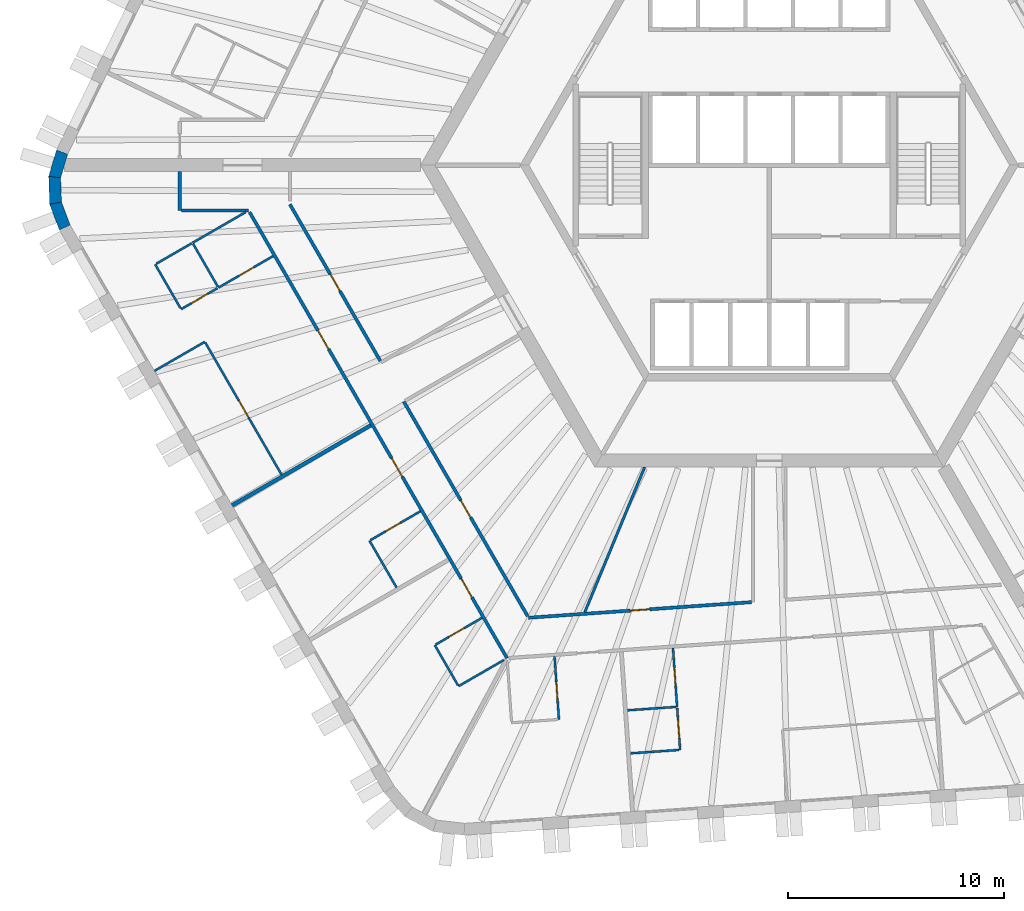
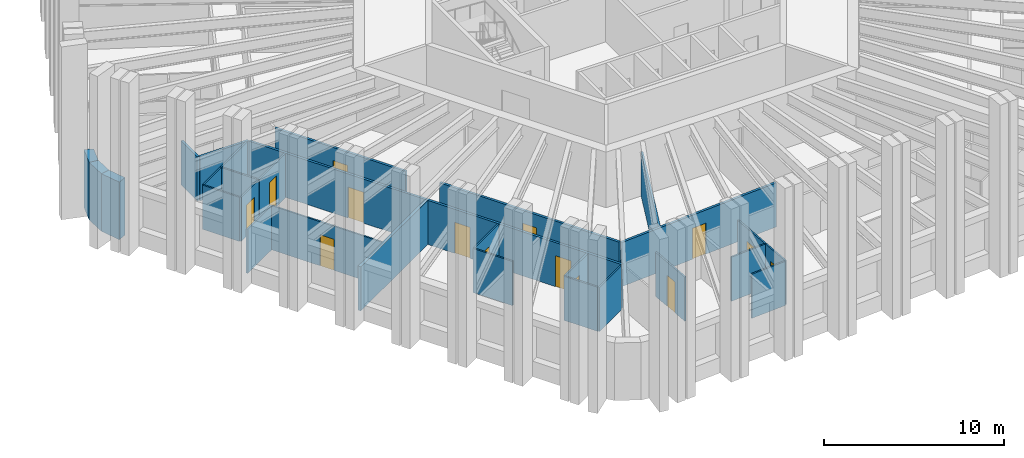
# One storey, part 3 of 13: 29 walls, 14 doors, 14 openings.
"""IFC4 building model written with IfcOpenShell, lengths in metres."""

from ifc_helpers import new_model, si_unit, direction, frame, frame_2d, origin, place, context, subcontext, project, spatial, polyline, rectangle, outline, extrude, material, layer, layer_set, type_object, element, fill, save


model = new_model("IFC4")

# Units and contexts
model_context = context("Model", 3, precision=1e-05, world=origin(), true_north=direction((0.0, 1.0)))
body_context = subcontext(model_context, "Body", "Model", "MODEL_VIEW")
ifc_project = project(units=[si_unit("LENGTHUNIT", "METRE"), si_unit("AREAUNIT", "SQUARE_METRE"), si_unit("VOLUMEUNIT", "CUBIC_METRE"), si_unit("PLANEANGLEUNIT", "RADIAN"), si_unit("MASSUNIT", "GRAM", prefix="KILO")], contexts=[model_context])

# Site, building, storey
site_placement = place(None, origin())
site = spatial("IfcSite", under=ifc_project, at=site_placement, CompositionType="ELEMENT")
building_placement = place(site_placement, origin())
building = spatial("IfcBuilding", under=site, at=building_placement, Name="Tarnside Tower", CompositionType="ELEMENT")
storey_placement = place(building_placement, frame((0.0, 0.0, 123.300048828125)))
storey = spatial("IfcBuildingStorey", under=building, at=storey_placement, Name="L28", CompositionType="ELEMENT", Elevation=123.300048828125)

# Wall
ifc_material_1 = material(Name="Gypsum board partition on steel studs", Category="steel")
ifc_layer_1 = layer(ifc_material_1, 0.10009765625)
ifc_layer_set_1 = layer_set([ifc_layer_1], Name="Bathroom wall 100")
wall_type_1 = type_object("IfcWallType", Name="Bathroom wall 100", PredefinedType="PARTITIONING", material=ifc_layer_set_1)
wall_1_placement = place(storey_placement, frame((-26.731201171875, -3.60009765625, 0.0), z_axis=(0.0, 0.0, 1.0), x_axis=(0.866004402611, 0.500036373335, 0.0)))
element("IfcWall", 1, at=wall_1_placement, inside=storey, type_object=wall_type_1, Name="Bathroom wall 09108", PredefinedType="PARTITIONING", context=body_context, shape_type="SweptSolid", body=[
    extrude(rectangle(XDim=2.849853515625, YDim=0.10009765625, at=frame_2d((1.4248046875, 0.0))), origin(), (0.0, 0.0, 1.0), 2.98779296875),
])

# Wall, opening, door
wall_2_placement = place(storey_placement, frame((-22.998291015625, -4.216064453125, 0.0), z_axis=(0.0, 0.0, 1.0), x_axis=(-0.866025730634, -0.499999433879, 0.0)))
wall_2 = element("IfcWall", 2, at=wall_2_placement, inside=storey, type_object=wall_type_1, Name="Bathroom wall 09109", PredefinedType="PARTITIONING", context=body_context, shape_type="SweptSolid", body=[
    extrude(rectangle(XDim=2.9248046875, YDim=0.10009765625, at=frame_2d((1.46240234375, 0.0))), origin(), (0.0, 0.0, 1.0), 2.98779296875),
])
opening_1_placement = place(wall_2_placement, frame((1.02490234375, 0.0, 0.0)))
opening_1 = element("IfcOpeningElement", 3, at=opening_1_placement, cuts=wall_2, Name="Opening D-B1", PredefinedType="OPENING", context=body_context, shape_type="SweptSolid", body=[
    extrude(rectangle(XDim=0.800048828125, YDim=2.10009765625, at=frame_2d((0.39990234375, 1.050048828125))), frame((0.0, 0.06005859375, 0.0), z_axis=(0.0, -1.0, 0.0), x_axis=(1.0, 0.0, 0.0)), (0.0, 0.0, 1.0), 0.1201171875),
])
ifc_material_2 = material(Name="Timber door leaf", Category="wood")
door_type_1 = type_object("IfcDoorType", Name="Bathroom door 800", OperationType="NOTDEFINED", PredefinedType="DOOR", material=ifc_material_2)
door_1_placement = place(opening_1_placement, origin())
door_1 = element("IfcDoor", 4, at=door_1_placement, inside=storey, type_object=door_type_1, Name="Bathroom door 09016", OperationType="SINGLE_SWING_RIGHT", OverallHeight=2.10009765625, OverallWidth=0.800048828125, PredefinedType="DOOR", context=body_context, shape_type="SweptSolid", body=[
    extrude(rectangle(XDim=0.800048828125, YDim=2.10009765625, at=frame_2d((0.39990234375, 1.050048828125))), frame((0.0, 0.02490234375, 0.0), z_axis=(0.0, -1.0, 0.0), x_axis=(1.0, 0.0, 0.0)), (0.0, 0.0, 1.0), 0.050048828125),
])
fill(opening_1, door_1)

# Walls
wall_3_placement = place(storey_placement, frame((-26.706298828125, -3.643310546875, 0.0), z_axis=(0.0, 0.0, 1.0), x_axis=(0.499952165731, -0.866053019151, 0.0)))
element("IfcWall", 5, at=wall_3_placement, inside=storey, type_object=wall_type_1, Name="Bathroom wall 09116", PredefinedType="PARTITIONING", context=body_context, shape_type="SweptSolid", body=[
    extrude(rectangle(XDim=2.300048828125, YDim=0.10009765625, at=frame_2d((1.14990234375, 0.0))), origin(), (0.0, 0.0, 1.0), 2.98779296875),
])
wall_4_placement = place(storey_placement, frame((-17.273681640625, -19.581298828125, 0.0), z_axis=(0.0, 0.0, 1.0), x_axis=(-0.499946979623, 0.86605601295, 0.0)))
element("IfcWall", 6, at=wall_4_placement, inside=storey, type_object=wall_type_1, Name="Bathroom wall 09118", PredefinedType="PARTITIONING", context=body_context, shape_type="SweptSolid", body=[
    extrude(rectangle(XDim=2.510009765625, YDim=0.10009765625, at=frame_2d((1.2548828125, 0.0))), origin(), (0.0, 0.0, 1.0), 2.98779296875),
])

# Wall, opening, door
wall_5_placement = place(storey_placement, frame((-18.4853515625, -17.382568359375, 0.0), z_axis=(0.0, 0.0, 1.0), x_axis=(0.866004723184, 0.50003581814, 0.0)))
wall_5 = element("IfcWall", 7, at=wall_5_placement, inside=storey, type_object=wall_type_1, Name="Bathroom wall 09119", PredefinedType="PARTITIONING", context=body_context, shape_type="SweptSolid", body=[
    extrude(rectangle(XDim=2.675048828125, YDim=0.10009765625, at=frame_2d((1.33740234375, 0.0))), origin(), (0.0, 0.0, 1.0), 2.98779296875),
])
opening_2_placement = place(wall_5_placement, frame((0.81005859375, 0.0, 0.0)))
opening_2 = element("IfcOpeningElement", 8, at=opening_2_placement, cuts=wall_5, Name="Opening D-B1", PredefinedType="OPENING", context=body_context, shape_type="SweptSolid", body=[
    extrude(rectangle(XDim=0.800048828125, YDim=2.10009765625, at=frame_2d((0.39990234375, 1.050048828125))), frame((0.0, 0.06005859375, 0.0), z_axis=(0.0, -1.0, 0.0), x_axis=(1.0, 0.0, 0.0)), (0.0, 0.0, 1.0), 0.1201171875),
])
door_2_placement = place(opening_2_placement, origin())
door_2 = element("IfcDoor", 9, at=door_2_placement, inside=storey, type_object=door_type_1, Name="Bathroom door 09020", OperationType="SINGLE_SWING_RIGHT", OverallHeight=2.10009765625, OverallWidth=0.800048828125, PredefinedType="DOOR", context=body_context, shape_type="SweptSolid", body=[
    extrude(rectangle(XDim=0.800048828125, YDim=2.10009765625, at=frame_2d((0.39990234375, 1.050048828125))), frame((0.0, 0.02490234375, 0.0), z_axis=(0.0, -1.0, 0.0), x_axis=(1.0, 0.0, 0.0)), (0.0, 0.0, 1.0), 0.050048828125),
])
fill(opening_2, door_2)

# Walls
wall_6_placement = place(storey_placement, frame((-12.299560546875, -22.93896484375, 0.0), z_axis=(0.0, 0.0, 1.0), x_axis=(-0.866044985707, -0.499966081581, 0.0)))
element("IfcWall", 10, at=wall_6_placement, inside=storey, type_object=wall_type_1, Name="Bathroom wall 09122", PredefinedType="PARTITIONING", context=body_context, shape_type="SweptSolid", body=[
    extrude(rectangle(XDim=2.428955078125, YDim=0.10009765625, at=frame_2d((1.21435546875, 0.0))), origin(), (0.0, 0.0, 1.0), 2.98779296875),
])
wall_7_placement = place(storey_placement, frame((-14.427978515625, -24.110107421875, 0.0), z_axis=(0.0, 0.0, 1.0), x_axis=(-0.499961633463, 0.866047553582, 0.0)))
element("IfcWall", 11, at=wall_7_placement, inside=storey, type_object=wall_type_1, Name="Bathroom wall 09123", PredefinedType="PARTITIONING", context=body_context, shape_type="SweptSolid", body=[
    extrude(rectangle(XDim=2.150146484375, YDim=0.10009765625, at=frame_2d((1.0751953125, 0.0))), origin(), (0.0, 0.0, 1.0), 2.98779296875),
])

# Wall, opening, door
wall_8_placement = place(storey_placement, frame((-15.459716796875, -22.22314453125, 0.0), z_axis=(0.0, 0.0, 1.0), x_axis=(0.866031185235, 0.4999899861, 0.0)))
wall_8 = element("IfcWall", 12, at=wall_8_placement, inside=storey, type_object=wall_type_1, Name="Bathroom wall 09124", PredefinedType="PARTITIONING", context=body_context, shape_type="SweptSolid", body=[
    extrude(rectangle(XDim=2.47509765625, YDim=0.10009765625, at=frame_2d((1.237548828125, 0.0))), origin(), (0.0, 0.0, 1.0), 2.98779296875),
])
opening_3_placement = place(wall_8_placement, frame((0.719970703125, 0.0, 0.0)))
opening_3 = element("IfcOpeningElement", 13, at=opening_3_placement, cuts=wall_8, Name="Opening D-B1", PredefinedType="OPENING", context=body_context, shape_type="SweptSolid", body=[
    extrude(rectangle(XDim=0.800048828125, YDim=2.10009765625, at=frame_2d((0.39990234375, 1.050048828125))), frame((0.0, 0.06005859375, 0.0), z_axis=(0.0, -1.0, 0.0), x_axis=(1.0, 0.0, 0.0)), (0.0, 0.0, 1.0), 0.1201171875),
])
door_3_placement = place(opening_3_placement, origin())
door_3 = element("IfcDoor", 14, at=door_3_placement, inside=storey, type_object=door_type_1, Name="Bathroom door 09022", OperationType="SINGLE_SWING_RIGHT", OverallHeight=2.10009765625, OverallWidth=0.800048828125, PredefinedType="DOOR", context=body_context, shape_type="SweptSolid", body=[
    extrude(rectangle(XDim=0.800048828125, YDim=2.10009765625, at=frame_2d((0.39990234375, 1.050048828125))), frame((0.0, 0.02490234375, 0.0), z_axis=(0.0, -1.0, 0.0), x_axis=(1.0, 0.0, 0.0)), (0.0, 0.0, 1.0), 0.050048828125),
])
fill(opening_3, door_3)

wall_9_placement = place(storey_placement, frame((-9.951416015625, -22.774658203125, 0.0), z_axis=(0.0, 0.0, 1.0), x_axis=(0.069775971057, -0.997562686683, 0.0)))
wall_9 = element("IfcWall", 15, at=wall_9_placement, inside=storey, type_object=wall_type_1, Name="Bathroom wall 09126", PredefinedType="PARTITIONING", context=body_context, shape_type="SweptSolid", body=[
    extrude(rectangle(XDim=2.925048828125, YDim=0.10009765625, at=frame_2d((1.46240234375, 0.0))), origin(), (0.0, 0.0, 1.0), 2.98779296875),
])
opening_4_placement = place(wall_9_placement, frame((1.175048828125, 0.0, 0.0)))
opening_4 = element("IfcOpeningElement", 16, at=opening_4_placement, cuts=wall_9, Name="Opening D-B1", PredefinedType="OPENING", context=body_context, shape_type="SweptSolid", body=[
    extrude(rectangle(XDim=0.800048828125, YDim=2.10009765625, at=frame_2d((0.39990234375, 1.050048828125))), frame((0.0, 0.06005859375, 0.0), z_axis=(0.0, -1.0, 0.0), x_axis=(1.0, 0.0, 0.0)), (0.0, 0.0, 1.0), 0.1201171875),
])
door_4_placement = place(opening_4_placement, origin())
door_4 = element("IfcDoor", 17, at=door_4_placement, inside=storey, type_object=door_type_1, Name="Bathroom door 09024", OperationType="SINGLE_SWING_LEFT", OverallHeight=2.10009765625, OverallWidth=0.800048828125, PredefinedType="DOOR", context=body_context, shape_type="SweptSolid", body=[
    extrude(rectangle(XDim=0.800048828125, YDim=2.10009765625, at=frame_2d((0.39990234375, 1.050048828125))), frame((0.0, 0.02490234375, 0.0), z_axis=(0.0, -1.0, 0.0), x_axis=(1.0, 0.0, 0.0)), (0.0, 0.0, 1.0), 0.050048828125),
])
fill(opening_4, door_4)

wall_10_placement = place(storey_placement, frame((-4.4599609375, -22.390625, 0.0), z_axis=(0.0, 0.0, 1.0), x_axis=(0.069699857203, -0.99756800766, 0.0)))
wall_10 = element("IfcWall", 18, at=wall_10_placement, inside=storey, type_object=wall_type_1, Name="Bathroom wall 09132", PredefinedType="PARTITIONING", context=body_context, shape_type="SweptSolid", body=[
    extrude(rectangle(XDim=2.72509765625, YDim=0.10009765625, at=frame_2d((1.362548828125, 0.0))), origin(), (0.0, 0.0, 1.0), 2.98779296875),
])
opening_5_placement = place(wall_10_placement, frame((0.925048828125, 0.0, 0.0)))
opening_5 = element("IfcOpeningElement", 19, at=opening_5_placement, cuts=wall_10, Name="Opening D-B1", PredefinedType="OPENING", context=body_context, shape_type="SweptSolid", body=[
    extrude(rectangle(XDim=0.800048828125, YDim=2.10009765625, at=frame_2d((0.39990234375, 1.050048828125))), frame((0.0, 0.06005859375, 0.0), z_axis=(0.0, -1.0, 0.0), x_axis=(1.0, 0.0, 0.0)), (0.0, 0.0, 1.0), 0.1201171875),
])
door_5_placement = place(opening_5_placement, origin())
door_5 = element("IfcDoor", 20, at=door_5_placement, inside=storey, type_object=door_type_1, Name="Bathroom door 09026", OperationType="SINGLE_SWING_RIGHT", OverallHeight=2.10009765625, OverallWidth=0.800048828125, PredefinedType="DOOR", context=body_context, shape_type="SweptSolid", body=[
    extrude(rectangle(XDim=0.800048828125, YDim=2.10009765625, at=frame_2d((0.39990234375, 1.050048828125))), frame((0.0, 0.02490234375, 0.0), z_axis=(0.0, -1.0, 0.0), x_axis=(1.0, 0.0, 0.0)), (0.0, 0.0, 1.0), 0.050048828125),
])
fill(opening_5, door_5)

# Walls
wall_11_placement = place(storey_placement, frame((-6.574462890625, -25.270263671875, 0.0), z_axis=(0.0, 0.0, 1.0), x_axis=(0.997562351999, 0.069780755754, 0.0)))
element("IfcWall", 21, at=wall_11_placement, inside=storey, type_object=wall_type_1, Name="Bathroom wall 09138", PredefinedType="PARTITIONING", context=body_context, shape_type="SweptSolid", body=[
    extrude(rectangle(XDim=2.26025390625, YDim=0.10009765625, at=frame_2d((1.130126953125, 0.0))), origin(), (0.0, 0.0, 1.0), 2.98779296875),
])
ifc_layer_2 = layer(ifc_material_1, 0.14990234375)
ifc_layer_set_2 = layer_set([ifc_layer_2], Name="Corridor wall 150 EI 60")
wall_type_2 = type_object("IfcWallType", Name="Corridor wall 150 EI 60", PredefinedType="PARTITIONING", material=ifc_layer_set_2)
wall_12_placement = place(storey_placement, frame((-27.3203125, -0.300048828125, 0.0), z_axis=(0.0, 0.0, 1.0), x_axis=(0.0, -1.0, 0.0)))
element("IfcWall", 22, at=wall_12_placement, inside=storey, type_object=wall_type_2, Name="Corridor wall 09027", PredefinedType="PARTITIONING", context=body_context, shape_type="SweptSolid", body=[
    extrude(rectangle(XDim=1.800048828125, YDim=0.14990234375, at=frame_2d((0.89990234375, 0.0))), origin(), (0.0, 0.0, 1.0), 2.98779296875),
])
wall_13_placement = place(storey_placement, frame((-27.245361328125, -2.10009765625, 0.0), z_axis=(0.0, 0.0, 1.0), x_axis=(1.0, 0.0, 0.0)))
element("IfcWall", 23, at=wall_13_placement, inside=storey, type_object=wall_type_2, Name="Corridor wall 09028", PredefinedType="PARTITIONING", context=body_context, shape_type="SweptSolid", body=[
    extrude(rectangle(XDim=3.112060546875, YDim=0.14990234375, at=frame_2d((1.55615234375, 0.0))), origin(), (0.0, 0.0, 1.0), 2.98779296875),
])

# Wall, openings, doors
wall_14_placement = place(storey_placement, frame((-24.08984375, -2.175048828125, 0.0), z_axis=(0.0, 0.0, 1.0), x_axis=(0.499996832073, -0.86602723278, 0.0)))
wall_14 = element("IfcWall", 24, at=wall_14_placement, inside=storey, type_object=wall_type_2, Name="Corridor wall 09029", PredefinedType="PARTITIONING", context=body_context, shape_type="SweptSolid", body=[
    extrude(rectangle(XDim=23.877197265625, YDim=0.14990234375, at=frame_2d((11.9384765625, 0.0))), origin(), (0.0, 0.0, 1.0), 2.98779296875),
])
opening_6_placement = place(wall_14_placement, frame((6.343017578125, 0.0, 0.0)))
opening_6 = element("IfcOpeningElement", 25, at=opening_6_placement, cuts=wall_14, Name="Opening D-E1", PredefinedType="OPENING", context=body_context, shape_type="SweptSolid", body=[
    extrude(rectangle(XDim=1.0, YDim=2.10009765625, at=frame_2d((0.5, 1.050048828125))), frame((0.0, 0.0849609375, 0.0), z_axis=(0.0, -1.0, 0.0), x_axis=(1.0, 0.0, 0.0)), (0.0, 0.0, 1.0), 0.169921875),
])
opening_7_placement = place(wall_14_placement, frame((13.17236328125, 0.0, 0.0)))
opening_7 = element("IfcOpeningElement", 26, at=opening_7_placement, cuts=wall_14, Name="Opening D-E1", PredefinedType="OPENING", context=body_context, shape_type="SweptSolid", body=[
    extrude(rectangle(XDim=1.0, YDim=2.10009765625, at=frame_2d((0.5, 1.050048828125))), frame((0.0, 0.0849609375, 0.0), z_axis=(0.0, -1.0, 0.0), x_axis=(1.0, 0.0, 0.0)), (0.0, 0.0, 1.0), 0.169921875),
])
opening_8_placement = place(wall_14_placement, frame((19.624755859375, 0.0, 0.0)))
opening_8 = element("IfcOpeningElement", 27, at=opening_8_placement, cuts=wall_14, Name="Opening D-E1", PredefinedType="OPENING", context=body_context, shape_type="SweptSolid", body=[
    extrude(rectangle(XDim=1.0, YDim=2.10009765625, at=frame_2d((0.5, 1.050048828125))), frame((0.0, 0.0849609375, 0.0), z_axis=(0.0, -1.0, 0.0), x_axis=(1.0, 0.0, 0.0)), (0.0, 0.0, 1.0), 0.169921875),
])
door_type_2 = type_object("IfcDoorType", Name="Unit entrance door 1000 FD30S", OperationType="NOTDEFINED", PredefinedType="DOOR", material=ifc_material_2)
door_6_placement = place(opening_6_placement, origin())
door_6 = element("IfcDoor", 28, at=door_6_placement, inside=storey, type_object=door_type_2, Name="Unit door 09015", OperationType="SINGLE_SWING_LEFT", OverallHeight=2.10009765625, OverallWidth=1.0, PredefinedType="DOOR", context=body_context, shape_type="SweptSolid", body=[
    extrude(rectangle(XDim=1.0, YDim=2.10009765625, at=frame_2d((0.5, 1.050048828125))), frame((0.0, 0.02490234375, 0.0), z_axis=(0.0, -1.0, 0.0), x_axis=(1.0, 0.0, 0.0)), (0.0, 0.0, 1.0), 0.050048828125),
])
fill(opening_6, door_6)
door_7_placement = place(opening_7_placement, origin())
door_7 = element("IfcDoor", 29, at=door_7_placement, inside=storey, type_object=door_type_2, Name="Unit door 09019", OperationType="SINGLE_SWING_LEFT", OverallHeight=2.10009765625, OverallWidth=1.0, PredefinedType="DOOR", context=body_context, shape_type="SweptSolid", body=[
    extrude(rectangle(XDim=1.0, YDim=2.10009765625, at=frame_2d((0.5, 1.050048828125))), frame((0.0, 0.02490234375, 0.0), z_axis=(0.0, -1.0, 0.0), x_axis=(1.0, 0.0, 0.0)), (0.0, 0.0, 1.0), 0.050048828125),
])
fill(opening_7, door_7)
door_8_placement = place(opening_8_placement, origin())
door_8 = element("IfcDoor", 30, at=door_8_placement, inside=storey, type_object=door_type_2, Name="Unit door 09021", OperationType="SINGLE_SWING_RIGHT", OverallHeight=2.10009765625, OverallWidth=1.0, PredefinedType="DOOR", context=body_context, shape_type="SweptSolid", body=[
    extrude(rectangle(XDim=1.0, YDim=2.10009765625, at=frame_2d((0.5, 1.050048828125))), frame((0.0, 0.02490234375, 0.0), z_axis=(0.0, -1.0, 0.0), x_axis=(1.0, 0.0, 0.0)), (0.0, 0.0, 1.0), 0.050048828125),
])
fill(opening_8, door_8)

# Wall, opening, door
wall_15_placement = place(storey_placement, frame((-18.02734375, -9.07568359375, 0.0), z_axis=(0.0, 0.0, 1.0), x_axis=(-0.500007318041, 0.86602117867, 0.0)))
wall_15 = element("IfcWall", 31, at=wall_15_placement, inside=storey, type_object=wall_type_2, Name="Corridor wall 09045", PredefinedType="PARTITIONING", context=body_context, shape_type="SweptSolid", body=[
    extrude(rectangle(XDim=8.383056640625, YDim=0.14990234375, at=frame_2d((4.19140625, 0.0))), origin(), (0.0, 0.0, 1.0), 2.98779296875),
])
opening_9_placement = place(wall_15_placement, frame((3.74169921875, 0.0, 0.0)))
opening_9 = element("IfcOpeningElement", 32, at=opening_9_placement, cuts=wall_15, Name="Opening D-S1", PredefinedType="OPENING", context=body_context, shape_type="SweptSolid", body=[
    extrude(rectangle(XDim=0.89990234375, YDim=2.10009765625, at=frame_2d((0.449951171875, 1.050048828125))), frame((0.0, 0.0849609375, 0.0), z_axis=(0.0, -1.0, 0.0), x_axis=(1.0, 0.0, 0.0)), (0.0, 0.0, 1.0), 0.169921875),
])
door_type_3 = type_object("IfcDoorType", Name="Service room door 900 FD30S", OperationType="NOTDEFINED", PredefinedType="DOOR", material=ifc_material_2)
door_9_placement = place(opening_9_placement, origin())
door_9 = element("IfcDoor", 33, at=door_9_placement, inside=storey, type_object=door_type_3, Name="Service door 09049", OperationType="SINGLE_SWING_RIGHT", OverallHeight=2.10009765625, OverallWidth=0.89990234375, PredefinedType="DOOR", context=body_context, shape_type="SweptSolid", body=[
    extrude(rectangle(XDim=0.89990234375, YDim=2.10009765625, at=frame_2d((0.449951171875, 1.050048828125))), frame((0.0, 0.02490234375, 0.0), z_axis=(0.0, -1.0, 0.0), x_axis=(1.0, 0.0, 0.0)), (0.0, 0.0, 1.0), 0.050048828125),
])
fill(opening_9, door_9)

wall_16_placement = place(storey_placement, frame((-0.824951171875, -20.2568359375, 0.0), z_axis=(0.0, 0.0, 1.0), x_axis=(-0.9975635143, -0.069764137903, 0.0)))
wall_16 = element("IfcWall", 34, at=wall_16_placement, inside=storey, type_object=wall_type_2, Name="Corridor wall 09048", PredefinedType="PARTITIONING", context=body_context, shape_type="SweptSolid", body=[
    extrude(rectangle(XDim=10.35498046875, YDim=0.14990234375, at=frame_2d((5.177490234375, 0.0))), origin(), (0.0, 0.0, 1.0), 2.98779296875),
])
opening_10_placement = place(wall_16_placement, frame((4.7275390625, 0.0, 0.0)))
opening_10 = element("IfcOpeningElement", 35, at=opening_10_placement, cuts=wall_16, Name="Opening D-S1", PredefinedType="OPENING", context=body_context, shape_type="SweptSolid", body=[
    extrude(rectangle(XDim=0.89990234375, YDim=2.10009765625, at=frame_2d((0.449951171875, 1.050048828125))), frame((0.0, 0.0849609375, 0.0), z_axis=(0.0, -1.0, 0.0), x_axis=(1.0, 0.0, 0.0)), (0.0, 0.0, 1.0), 0.169921875),
])
door_10_placement = place(opening_10_placement, origin())
door_10 = element("IfcDoor", 36, at=door_10_placement, inside=storey, type_object=door_type_3, Name="Service door 09050", OperationType="SINGLE_SWING_LEFT", OverallHeight=2.10009765625, OverallWidth=0.89990234375, PredefinedType="DOOR", context=body_context, shape_type="SweptSolid", body=[
    extrude(rectangle(XDim=0.89990234375, YDim=2.10009765625, at=frame_2d((0.449951171875, 1.050048828125))), frame((0.0, 0.02490234375, 0.0), z_axis=(0.0, -1.0, 0.0), x_axis=(1.0, 0.0, 0.0)), (0.0, 0.0, 1.0), 0.050048828125),
])
fill(opening_10, door_10)

wall_17_placement = place(storey_placement, frame((-11.196533203125, -20.906982421875, 0.0), z_axis=(0.0, 0.0, 1.0), x_axis=(-0.500004557924, 0.86602277225, 0.0)))
wall_17 = element("IfcWall", 37, at=wall_17_placement, inside=storey, type_object=wall_type_2, Name="Corridor wall 09050", PredefinedType="PARTITIONING", context=body_context, shape_type="SweptSolid", body=[
    extrude(rectangle(XDim=11.48681640625, YDim=0.14990234375, at=frame_2d((5.743408203125, 0.0))), origin(), (0.0, 0.0, 1.0), 2.98779296875),
])
opening_11_placement = place(wall_17_placement, frame((5.293212890625, 0.0, 0.0)))
opening_11 = element("IfcOpeningElement", 38, at=opening_11_placement, cuts=wall_17, Name="Opening D-S1", PredefinedType="OPENING", context=body_context, shape_type="SweptSolid", body=[
    extrude(rectangle(XDim=0.89990234375, YDim=2.10009765625, at=frame_2d((0.449951171875, 1.050048828125))), frame((0.0, 0.0849609375, 0.0), z_axis=(0.0, -1.0, 0.0), x_axis=(1.0, 0.0, 0.0)), (0.0, 0.0, 1.0), 0.169921875),
])
door_11_placement = place(opening_11_placement, origin())
door_11 = element("IfcDoor", 39, at=door_11_placement, inside=storey, type_object=door_type_3, Name="Service door 09051", OperationType="SINGLE_SWING_RIGHT", OverallHeight=2.10009765625, OverallWidth=0.89990234375, PredefinedType="DOOR", context=body_context, shape_type="SweptSolid", body=[
    extrude(rectangle(XDim=0.89990234375, YDim=2.10009765625, at=frame_2d((0.449951171875, 1.050048828125))), frame((0.0, 0.02490234375, 0.0), z_axis=(0.0, -1.0, 0.0), x_axis=(1.0, 0.0, 0.0)), (0.0, 0.0, 1.0), 0.050048828125),
])
fill(opening_11, door_11)

# Wall
ifc_layer_3 = layer(ifc_material_1, 0.179931640625)
ifc_layer_set_3 = layer_set([ifc_layer_3], Name="Demising wall 180 EI 60")
wall_type_3 = type_object("IfcWallType", Name="Demising wall 180 EI 60", PredefinedType="PARTITIONING", material=ifc_layer_set_3)
wall_18_placement = place(storey_placement, frame((-24.89892578125, -15.773681640625, 0.0), z_axis=(0.0, 0.0, 1.0), x_axis=(0.866028983062, 0.499993800457, 0.0)))
element("IfcWall", 40, at=wall_18_placement, inside=storey, type_object=wall_type_3, Name="Demising wall 09115", PredefinedType="PARTITIONING", context=body_context, shape_type="SweptSolid", body=[
    extrude(rectangle(XDim=7.4248046875, YDim=0.179931640625, at=frame_2d((3.71240234375, 0.0))), origin(), (0.0, 0.0, 1.0), 2.98779296875),
])

# Wall, opening, door
ifc_layer_4 = layer(ifc_material_1, 0.10009765625)
ifc_layer_set_4 = layer_set([ifc_layer_4], Name="Partition 100")
wall_type_4 = type_object("IfcWallType", Name="Partition 100", PredefinedType="PARTITIONING", material=ifc_layer_set_4)
wall_19_placement = place(storey_placement, frame((-25.57470703125, -5.703369140625, 0.0), z_axis=(0.0, 0.0, 1.0), x_axis=(-0.866000020948, -0.500043961785, 0.0)))
wall_19 = element("IfcWall", 41, at=wall_19_placement, inside=storey, type_object=wall_type_4, Name="Partition wall 09110", PredefinedType="PARTITIONING", context=body_context, shape_type="SweptSolid", body=[
    extrude(rectangle(XDim=1.949951171875, YDim=0.10009765625, at=frame_2d((0.97509765625, 0.0))), origin(), (0.0, 0.0, 1.0), 2.98779296875),
])
opening_12_placement = place(wall_19_placement, frame((0.5, 0.0, 0.0)))
opening_12 = element("IfcOpeningElement", 42, at=opening_12_placement, cuts=wall_19, Name="Opening D-I1", PredefinedType="OPENING", context=body_context, shape_type="SweptSolid", body=[
    extrude(rectangle(XDim=0.89990234375, YDim=2.10009765625, at=frame_2d((0.449951171875, 1.050048828125))), frame((0.0, 0.06005859375, 0.0), z_axis=(0.0, -1.0, 0.0), x_axis=(1.0, 0.0, 0.0)), (0.0, 0.0, 1.0), 0.1201171875),
])
door_type_4 = type_object("IfcDoorType", Name="Internal door 900", OperationType="NOTDEFINED", PredefinedType="DOOR", material=ifc_material_2)
door_12_placement = place(opening_12_placement, origin())
door_12 = element("IfcDoor", 43, at=door_12_placement, inside=storey, type_object=door_type_4, Name="Internal door 09017", OperationType="SINGLE_SWING_RIGHT", OverallHeight=2.10009765625, OverallWidth=0.89990234375, PredefinedType="DOOR", context=body_context, shape_type="SweptSolid", body=[
    extrude(rectangle(XDim=0.89990234375, YDim=2.10009765625, at=frame_2d((0.449951171875, 1.050048828125))), frame((0.0, 0.02490234375, 0.0), z_axis=(0.0, -1.0, 0.0), x_axis=(1.0, 0.0, 0.0)), (0.0, 0.0, 1.0), 0.050048828125),
])
fill(opening_12, door_12)

# Walls
wall_20_placement = place(storey_placement, frame((-27.288330078125, -6.63525390625, 0.0), z_axis=(0.0, 0.0, 1.0), x_axis=(-0.500016218704, 0.866016039709, 0.0)))
element("IfcWall", 44, at=wall_20_placement, inside=storey, type_object=wall_type_4, Name="Partition wall 09111", PredefinedType="PARTITIONING", context=body_context, shape_type="SweptSolid", body=[
    extrude(rectangle(XDim=2.35009765625, YDim=0.10009765625, at=frame_2d((1.175048828125, 0.0))), origin(), (0.0, 0.0, 1.0), 2.98779296875),
])
wall_21_placement = place(storey_placement, frame((-28.420166015625, -4.574951171875, 0.0), z_axis=(0.0, 0.0, 1.0), x_axis=(0.866044365799, 0.499967155389, 0.0)))
element("IfcWall", 45, at=wall_21_placement, inside=storey, type_object=wall_type_4, Name="Partition wall 09112", PredefinedType="PARTITIONING", context=body_context, shape_type="SweptSolid", body=[
    extrude(rectangle(XDim=1.900146484375, YDim=0.10009765625, at=frame_2d((0.9501953125, 0.0))), origin(), (0.0, 0.0, 1.0), 2.98779296875),
])
wall_22_placement = place(storey_placement, frame((-28.4990234375, -9.538330078125, 0.0), z_axis=(0.0, 0.0, 1.0), x_axis=(0.866059108428, 0.4999416173, 0.0)))
element("IfcWall", 46, at=wall_22_placement, inside=storey, type_object=wall_type_4, Name="Partition wall 09113", PredefinedType="PARTITIONING", context=body_context, shape_type="SweptSolid", body=[
    extrude(rectangle(XDim=2.699951171875, YDim=0.10009765625, at=frame_2d((1.35009765625, 0.0))), origin(), (0.0, 0.0, 1.0), 2.98779296875),
])

# Wall, opening, door
wall_23_placement = place(storey_placement, frame((-26.1357421875, -8.231689453125, 0.0), z_axis=(0.0, 0.0, 1.0), x_axis=(0.499995846692, -0.866027801685, 0.0)))
wall_23 = element("IfcWall", 47, at=wall_23_placement, inside=storey, type_object=wall_type_4, Name="Partition wall 09114", PredefinedType="PARTITIONING", context=body_context, shape_type="SweptSolid", body=[
    extrude(rectangle(XDim=7.06005859375, YDim=0.10009765625, at=frame_2d((3.530029296875, 0.0))), origin(), (0.0, 0.0, 1.0), 2.98779296875),
])
opening_13_placement = place(wall_23_placement, frame((3.10009765625, 0.0, 0.0)))
opening_13 = element("IfcOpeningElement", 48, at=opening_13_placement, cuts=wall_23, Name="Opening D-I1", PredefinedType="OPENING", context=body_context, shape_type="SweptSolid", body=[
    extrude(rectangle(XDim=0.89990234375, YDim=2.10009765625, at=frame_2d((0.449951171875, 1.050048828125))), frame((0.0, 0.06005859375, 0.0), z_axis=(0.0, -1.0, 0.0), x_axis=(1.0, 0.0, 0.0)), (0.0, 0.0, 1.0), 0.1201171875),
])
door_13_placement = place(opening_13_placement, origin())
door_13 = element("IfcDoor", 49, at=door_13_placement, inside=storey, type_object=door_type_4, Name="Internal door 09018", OperationType="SINGLE_SWING_RIGHT", OverallHeight=2.10009765625, OverallWidth=0.89990234375, PredefinedType="DOOR", context=body_context, shape_type="SweptSolid", body=[
    extrude(rectangle(XDim=0.89990234375, YDim=2.10009765625, at=frame_2d((0.449951171875, 1.050048828125))), frame((0.0, 0.02490234375, 0.0), z_axis=(0.0, -1.0, 0.0), x_axis=(1.0, 0.0, 0.0)), (0.0, 0.0, 1.0), 0.050048828125),
])
fill(opening_13, door_13)

wall_24_placement = place(storey_placement, frame((-4.2666015625, -25.158935546875, 0.0), z_axis=(0.0, 0.0, 1.0), x_axis=(0.06985902805, -0.997556873667, 0.0)))
wall_24 = element("IfcWall", 50, at=wall_24_placement, inside=storey, type_object=wall_type_4, Name="Partition wall 09133", PredefinedType="PARTITIONING", context=body_context, shape_type="SweptSolid", body=[
    extrude(rectangle(XDim=1.9501953125, YDim=0.10009765625, at=frame_2d((0.97509765625, 0.0))), origin(), (0.0, 0.0, 1.0), 2.98779296875),
])
opening_14_placement = place(wall_24_placement, frame((0.5, 0.0, 0.0)))
opening_14 = element("IfcOpeningElement", 51, at=opening_14_placement, cuts=wall_24, Name="Opening D-I1", PredefinedType="OPENING", context=body_context, shape_type="SweptSolid", body=[
    extrude(rectangle(XDim=0.89990234375, YDim=2.10009765625, at=frame_2d((0.449951171875, 1.050048828125))), frame((0.0, 0.06005859375, 0.0), z_axis=(0.0, -1.0, 0.0), x_axis=(1.0, 0.0, 0.0)), (0.0, 0.0, 1.0), 0.1201171875),
])
door_14_placement = place(opening_14_placement, origin())
door_14 = element("IfcDoor", 52, at=door_14_placement, inside=storey, type_object=door_type_4, Name="Internal door 09027", OperationType="SINGLE_SWING_RIGHT", OverallHeight=2.10009765625, OverallWidth=0.89990234375, PredefinedType="DOOR", context=body_context, shape_type="SweptSolid", body=[
    extrude(rectangle(XDim=0.89990234375, YDim=2.10009765625, at=frame_2d((0.449951171875, 1.050048828125))), frame((0.0, 0.02490234375, 0.0), z_axis=(0.0, -1.0, 0.0), x_axis=(1.0, 0.0, 0.0)), (0.0, 0.0, 1.0), 0.050048828125),
])
fill(opening_14, door_14)

# Walls
wall_25_placement = place(storey_placement, frame((-4.180419921875, -27.107666015625, 0.0), z_axis=(0.0, 0.0, 1.0), x_axis=(-0.997561825928, -0.069788275888, 0.0)))
element("IfcWall", 53, at=wall_25_placement, inside=storey, type_object=wall_type_4, Name="Partition wall 09134", PredefinedType="PARTITIONING", context=body_context, shape_type="SweptSolid", body=[
    extrude(rectangle(XDim=2.260009765625, YDim=0.10009765625, at=frame_2d((1.1298828125, 0.0))), origin(), (0.0, 0.0, 1.0), 2.98779296875),
])
ifc_layer_5 = layer(ifc_material_1, 0.1201171875)
ifc_layer_set_5 = layer_set([ifc_layer_5], Name="Service room wall 120 EI 60")
wall_type_5 = type_object("IfcWallType", Name="Service room wall 120 EI 60", PredefinedType="PARTITIONING", material=ifc_layer_set_5)
wall_26_placement = place(storey_placement, frame((-5.775390625, -14.0, 0.0), z_axis=(0.0, 0.0, 1.0), x_axis=(-0.381361051417, -0.924426172532, 0.0)))
element("IfcWall", 54, at=wall_26_placement, inside=storey, type_object=wall_type_5, Name="Service wall 09175", PredefinedType="PARTITIONING", context=body_context, shape_type="SweptSolid", body=[
    extrude(rectangle(XDim=7.271240234375, YDim=0.1201171875, at=frame_2d((3.6357421875, 0.0))), origin(), (0.0, 0.0, 1.0), 2.98779296875),
])
ifc_material_3 = material(Name="Facing brick", Category="masonry")
ifc_layer_6 = layer(ifc_material_3, 0.10205078125)
ifc_material_4 = material(Name="Concrete C60/75 precast", Category="concrete")
ifc_layer_7 = layer(ifc_material_4, 0.347900390625)
ifc_material_5 = material(Name="Mineral wool insulation")
ifc_layer_8 = layer(ifc_material_5, 0.10009765625)
ifc_layer_set_6 = layer_set([ifc_layer_6, ifc_layer_7, ifc_layer_8], Name="Tube wall 550 brick faced")
wall_type_6 = type_object("IfcWallType", Name="Tube wall 550 brick faced", PredefinedType="SOLIDWALL", material=ifc_layer_set_6)
wall_27_placement = place(storey_placement, frame((-32.77685546875, 0.605224609375, -0.150146484375), z_axis=(0.0, 0.0, 1.0), x_axis=(-0.286921497463, -0.957954098219, 0.0)))
element("IfcWall", 55, at=wall_27_placement, inside=storey, type_object=wall_type_6, Name="Tube wall L28 F2 chord 05", PredefinedType="SOLIDWALL", context=body_context, shape_type="SweptSolid", body=[
    extrude(outline(polyline([(-0.0224609375, -0.27490234375), (1.25341796875, -0.27490234375), (1.1630859375, 0.27490234375), (0.0224609375, 0.27490234375), (-0.0224609375, -0.27490234375)])), origin(), (0.0, 0.0, 1.0), 3.900146484375),
])
wall_28_placement = place(storey_placement, frame((-33.12353515625, -0.55224609375, -0.150146484375), z_axis=(0.0, 0.0, 1.0), x_axis=(0.03495638276, -0.999388838893, 0.0)))
element("IfcWall", 56, at=wall_28_placement, inside=storey, type_object=wall_type_6, Name="Tube wall L28 F2 chord 06", PredefinedType="SOLIDWALL", context=body_context, shape_type="SweptSolid", body=[
    extrude(outline(polyline([(-0.045166015625, -0.27490234375), (1.25341796875, -0.27490234375), (1.1630859375, 0.27490234375), (0.045166015625, 0.27490234375), (-0.045166015625, -0.27490234375)])), origin(), (0.0, 0.0, 1.0), 3.900146484375),
])
wall_29_placement = place(storey_placement, frame((-33.081298828125, -1.759765625, -0.150146484375), z_axis=(0.0, 0.0, 1.0), x_axis=(0.353027214741, -0.935613053378, 0.0)))
element("IfcWall", 57, at=wall_29_placement, inside=storey, type_object=wall_type_6, Name="Tube wall L28 F2 chord 07", PredefinedType="SOLIDWALL", context=body_context, shape_type="SweptSolid", body=[
    extrude(outline(polyline([(-0.045166015625, -0.27490234375), (1.230712890625, -0.27490234375), (1.185791015625, 0.27490234375), (0.045166015625, 0.27490234375), (-0.045166015625, -0.27490234375)])), origin(), (0.0, 0.0, 1.0), 3.900146484375),
])

save(model, "model.ifc")
